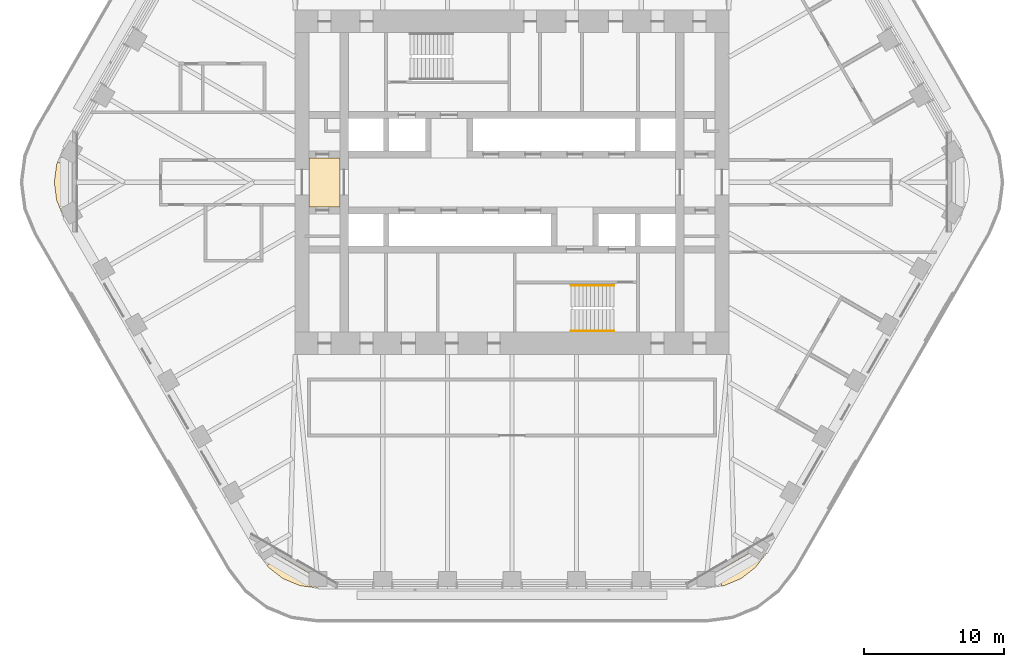
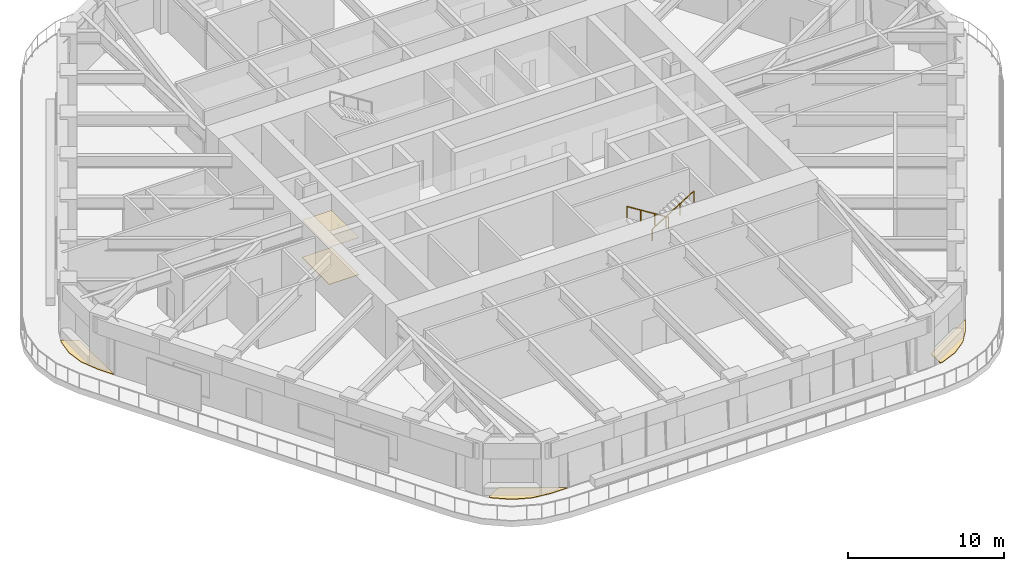
# One storey, part 18 of 20: 5 coverings, 2 railings.
"""IFC4 building model written with IfcOpenShell, lengths in metres."""

from ifc_helpers import new_model, si_unit, direction, frame, origin, origin_2d, place, context, subcontext, project, spatial, polyline, circle, outline, extrude, material, layer, layer_set, type_object, element, save


model = new_model("IFC4")

# Units and contexts
model_context = context("Model", 3, precision=1e-05, world=origin(), true_north=direction((0.0, 1.0)))
body_context = subcontext(model_context, "Body", "Model", "MODEL_VIEW")
ifc_project = project(units=[si_unit("LENGTHUNIT", "METRE"), si_unit("AREAUNIT", "SQUARE_METRE"), si_unit("VOLUMEUNIT", "CUBIC_METRE"), si_unit("PLANEANGLEUNIT", "RADIAN"), si_unit("MASSUNIT", "GRAM", prefix="KILO")], contexts=[model_context])

# Site, building, storey
site_placement = place(None, origin())
site = spatial("IfcSite", under=ifc_project, at=site_placement, CompositionType="ELEMENT")
building_placement = place(site_placement, origin())
building = spatial("IfcBuilding", under=site, at=building_placement, Name="Tarfa Lantern Tower", CompositionType="ELEMENT")
storey_placement = place(building_placement, frame((0.0, 0.0, 236.5)))
storey = spatial("IfcBuildingStorey", under=building, at=storey_placement, Name="L53", CompositionType="ELEMENT", Elevation=236.5)

# Coverings
ifc_material_1 = material(Name="Powder-coated aluminium panel", Category="aluminium")
ifc_layer_1 = layer(ifc_material_1, 0.030029296875)
ifc_layer_set_1 = layer_set([ifc_layer_1], Name="CL3 METAL PANEL CEILING 30")
covering_type_1 = type_object("IfcCoveringType", Name="CL3 METAL PANEL CEILING 30", PredefinedType="CEILING", material=ifc_layer_set_1)
covering_1_placement = place(storey_placement, frame((0.0, 0.0, 2.89990234375)))
element("IfcCovering", 1, at=covering_1_placement, inside=storey, type_object=covering_type_1, Name="Ceiling L53-01", PredefinedType="CEILING", context=body_context, shape_type="SweptSolid", body=[
    extrude(outline(polyline([(-14.5, -1.75), (-12.300048828125, -1.75), (-12.300048828125, 1.75), (-14.5, 1.75), (-14.5, -1.75)])), origin(), (0.0, 0.0, 1.0), 0.030029296875),
])
ifc_material_2 = material(Name="Honed limestone flooring", Category="masonry")
ifc_layer_2 = layer(ifc_material_2, 0.030029296875)
ifc_layer_set_2 = layer_set([ifc_layer_2], Name="FL2 STONE FLOORING 30")
covering_type_2 = type_object("IfcCoveringType", Name="FL2 STONE FLOORING 30", PredefinedType="FLOORING", material=ifc_layer_set_2)
covering_2_placement = place(storey_placement, origin())
element("IfcCovering", 2, at=covering_2_placement, inside=storey, type_object=covering_type_2, Name="Floor finish L53-01", PredefinedType="FLOORING", context=body_context, shape_type="SweptSolid", body=[
    extrude(outline(polyline([(-14.5, -1.75), (-12.300048828125, -1.75), (-12.300048828125, 1.75), (-14.5, 1.75), (-14.5, -1.75)])), origin(), (0.0, 0.0, 1.0), 0.030029296875),
])

# Railings
ifc_material_3 = material(Name="Stainless steel", Category="steel")
railing_type = type_object("IfcRailingType", Name="HR1 HANDRAIL 900", PredefinedType="HANDRAIL", material=ifc_material_3)
railing_1_placement = place(storey_placement, frame((7.300048828125, -7.3798828125, 0.175048828125)))
element("IfcRailing", 3, at=railing_1_placement, inside=storey, type_object=railing_type, Name="Handrail 1", PredefinedType="HANDRAIL", context=body_context, shape_type="SweptSolid", body=[
    extrude(circle(Radius=0.02392578125, at=origin_2d()), frame((0.0, 0.0, 0.8759765625), z_axis=(-0.847998304005, 0.0, 0.529998940003), x_axis=(0.0, -1.0, 0.0)), (0.0, 0.0, 1.0), 3.632080078125),
    extrude(circle(Radius=0.02099609375, at=origin_2d()), frame((0.0, 0.0, 0.0), z_axis=(0.0, 0.0, 1.0), x_axis=(0.0, -1.0, 0.0)), (0.0, 0.0, 1.0), 0.851806640625),
    extrude(circle(Radius=0.02099609375, at=origin_2d()), frame((-1.026611328125, 0.0, 0.6416015625), z_axis=(0.0, 0.0, 1.0), x_axis=(0.0, -1.0, 0.0)), (0.0, 0.0, 1.0), 0.851806640625),
    extrude(circle(Radius=0.02099609375, at=origin_2d()), frame((-2.053466796875, 0.0, 1.283447265625), z_axis=(0.0, 0.0, 1.0), x_axis=(0.0, -1.0, 0.0)), (0.0, 0.0, 1.0), 0.851806640625),
    extrude(circle(Radius=0.02099609375, at=origin_2d()), frame((-3.080078125, 0.0, 1.925048828125), z_axis=(0.0, 0.0, 1.0), x_axis=(0.0, -1.0, 0.0)), (0.0, 0.0, 1.0), 0.851806640625),
])
railing_2_placement = place(storey_placement, frame((4.219970703125, -10.6201171875, 2.27490234375)))
element("IfcRailing", 4, at=railing_2_placement, inside=storey, type_object=railing_type, Name="Handrail 2", PredefinedType="HANDRAIL", context=body_context, shape_type="SweptSolid", body=[
    extrude(circle(Radius=0.02392578125, at=origin_2d()), frame((0.0, 0.0, 0.8759765625), z_axis=(0.847998304005, 0.0, 0.529998940003), x_axis=(0.0, 1.0, 0.0)), (0.0, 0.0, 1.0), 3.632080078125),
    extrude(circle(Radius=0.02099609375, at=origin_2d()), frame((0.0, 0.0, 0.0), z_axis=(0.0, 0.0, 1.0), x_axis=(0.0, 1.0, 0.0)), (0.0, 0.0, 1.0), 0.851806640625),
    extrude(circle(Radius=0.02099609375, at=origin_2d()), frame((1.026611328125, 0.0, 0.6416015625), z_axis=(0.0, 0.0, 1.0), x_axis=(0.0, 1.0, 0.0)), (0.0, 0.0, 1.0), 0.851806640625),
    extrude(circle(Radius=0.02099609375, at=origin_2d()), frame((2.053466796875, 0.0, 1.283447265625), z_axis=(0.0, 0.0, 1.0), x_axis=(0.0, 1.0, 0.0)), (0.0, 0.0, 1.0), 0.851806640625),
    extrude(circle(Radius=0.02099609375, at=origin_2d()), frame((3.080078125, 0.0, 1.925048828125), z_axis=(0.0, 0.0, 1.0), x_axis=(0.0, 1.0, 0.0)), (0.0, 0.0, 1.0), 0.851806640625),
])

# Coverings
ifc_material_4 = material(Name="Porcelain pavers on pedestals", Category="ceramic")
ifc_layer_3 = layer(ifc_material_4, 0.0400390625)
ifc_layer_set_3 = layer_set([ifc_layer_3], Name="LP1 LOGGIA PAVING 40")
covering_type_3 = type_object("IfcCoveringType", Name="LP1 LOGGIA PAVING 40", PredefinedType="FLOORING", material=ifc_layer_set_3)
covering_3_placement = place(storey_placement, origin())
element("IfcCovering", 5, at=covering_3_placement, inside=storey, type_object=covering_type_3, Name="Sky garden paving NW-SW", PredefinedType="FLOORING", context=body_context, shape_type="SweptSolid", body=[
    extrude(outline(polyline([(-32.54248046875, -1.294189453125), (-32.712890625, 0.0), (-32.54248046875, 1.294189453125), (-32.467529296875, 1.474853515625), (-31.43310546875, 0.877685546875), (-31.43310546875, -3.55078125), (-31.436279296875, -3.55078125), (-32.04296875, -2.5), (-32.54248046875, -1.294189453125)])), origin(), (0.0, 0.0, 1.0), 0.0400390625),
])
covering_4_placement = place(storey_placement, origin())
element("IfcCovering", 6, at=covering_4_placement, inside=storey, type_object=covering_type_3, Name="Sky garden paving SW-S", PredefinedType="FLOORING", context=body_context, shape_type="SweptSolid", body=[
    extrude(outline(polyline([(-15.150390625, -28.82958984375), (-16.3564453125, -28.330078125), (-17.391845703125, -27.53564453125), (-17.51123046875, -27.380126953125), (-16.4765625, -26.782958984375), (-12.641357421875, -28.997314453125), (-12.64306640625, -29.0), (-13.8564453125, -29.0), (-15.150390625, -28.82958984375)])), origin(), (0.0, 0.0, 1.0), 0.0400390625),
])
covering_5_placement = place(storey_placement, origin())
element("IfcCovering", 7, at=covering_5_placement, inside=storey, type_object=covering_type_3, Name="Sky garden paving S-SE", PredefinedType="FLOORING", context=body_context, shape_type="SweptSolid", body=[
    extrude(outline(polyline([(17.391845703125, -27.53564453125), (16.3564453125, -28.330078125), (15.150390625, -28.82958984375), (14.956298828125, -28.855224609375), (14.956298828125, -27.66064453125), (18.791748046875, -25.4462890625), (18.793212890625, -25.44921875), (18.1865234375, -26.5), (17.391845703125, -27.53564453125)])), origin(), (0.0, 0.0, 1.0), 0.0400390625),
])

save(model, "model.ifc")
